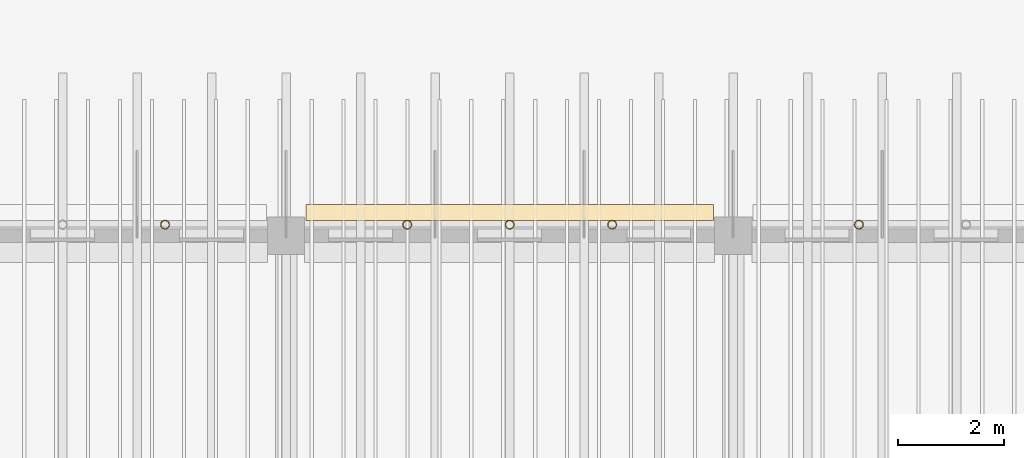
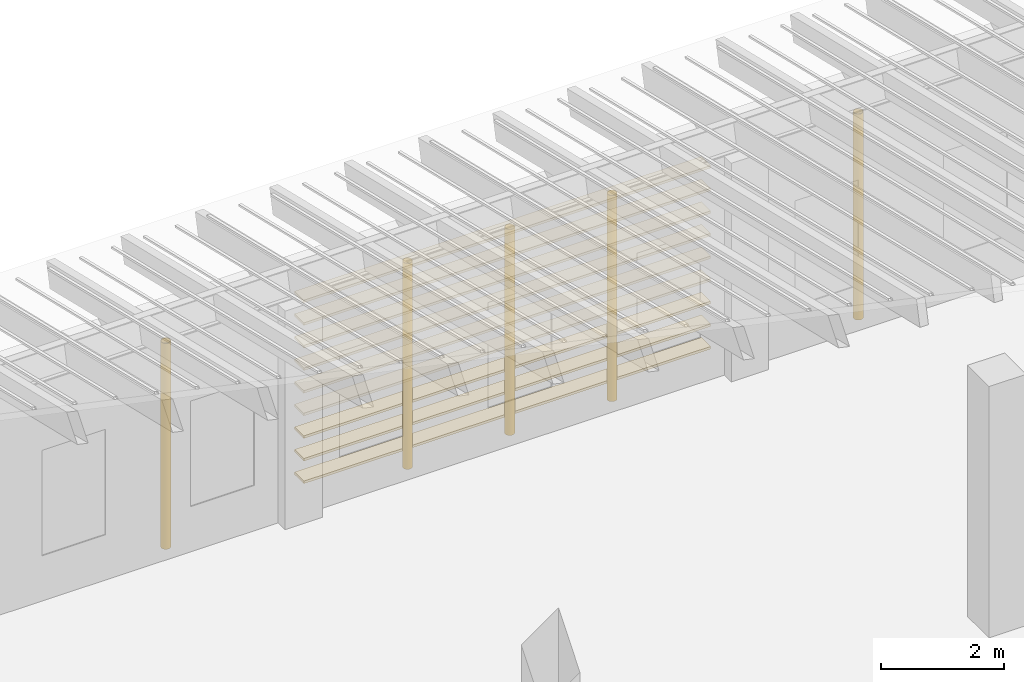
# One storey, part 68 of 82: 9 coverings, 5 shading devices.
"""IFC4 building model written with IfcOpenShell, lengths in metres."""

from ifc_helpers import new_model, si_unit, direction, frame, origin, origin_2d, place, context, subcontext, project, spatial, rectangle, hollow_circle, extrude, material, material_profile, profile_set, type_object, element, save


model = new_model("IFC4")

# Units and contexts
model_context = context("Model", 3, precision=1e-05, world=origin(), true_north=direction((0.0, 1.0)))
body_context = subcontext(model_context, "Body", "Model", "MODEL_VIEW")
ifc_project = project(units=[si_unit("LENGTHUNIT", "METRE"), si_unit("AREAUNIT", "SQUARE_METRE"), si_unit("VOLUMEUNIT", "CUBIC_METRE"), si_unit("PLANEANGLEUNIT", "RADIAN"), si_unit("MASSUNIT", "GRAM", prefix="KILO")], contexts=[model_context])

# Site, building, storey
site_placement = place(None, origin())
site = spatial("IfcSite", under=ifc_project, at=site_placement, CompositionType="ELEMENT")
building_placement = place(site_placement, origin())
building = spatial("IfcBuilding", under=site, at=building_placement, Name="Almond Square Museum", CompositionType="ELEMENT")
storey_placement = place(building_placement, frame((0.0, 0.0, 20.0)))
storey = spatial("IfcBuildingStorey", under=building, at=storey_placement, Name="L03", CompositionType="ELEMENT", Elevation=20.0)

# Shading devices
ifc_material_1 = material(Name="Structural steel S355", Category="steel")
ifc_material_profile_1 = material_profile(ifc_material_1, hollow_circle(Radius=0.084228515625, WallThickness=0.008056640625, at=origin_2d()))
ifc_profile_set_1 = profile_set([ifc_material_profile_1], Name="Structural steel S355")
shading_device_type = type_object("IfcShadingDeviceType", Name="Louvre post CHS 168.3 x 8", PredefinedType="USERDEFINED", material=ifc_profile_set_1)
for number, where, z_axis, x_axis, name in (
    (1, (67.16259765625, 109.4091796875, 0.0), (0.0, 0.0, 1.0), (1.0, 0.0, 0.0), "Louvre screen post"),
    (2, (58.675048828125, 109.4091796875, 0.0), (0.0, 0.0, 1.0), (1.0, 0.0, 0.0), "Louvre screen post"),
    (3, (60.60009765625, 109.4091796875, 0.0), (0.0, 0.0, 1.0), (1.0, 0.0, 0.0), "Louvre screen post"),
    (4, (62.52490234375, 109.4091796875, 0.0), (0.0, 0.0, 1.0), (1.0, 0.0, 0.0), "Louvre screen post"),
    (5, (54.125, 109.4091796875, 0.0), (0.0, 0.0, 1.0), (1.0, 0.0, 0.0), "Louvre screen post"),
):
    element("IfcShadingDevice", number, at=place(storey_placement, frame(where, z_axis=z_axis, x_axis=x_axis)), inside=storey, type_object=shading_device_type, Name=name, ObjectType="POST", PredefinedType="USERDEFINED", context=body_context, shape_type="SweptSolid", body=[
        extrude(hollow_circle(Radius=0.084228515625, WallThickness=0.008056640625, at=origin_2d()), origin(), (0.0, 0.0, 1.0), 4.099365234375),
    ])

# Coverings
ifc_material_2 = material(Name="Cedar timber louvre board", Category="wood")
ifc_material_profile_2 = material_profile(ifc_material_2, rectangle(XDim=0.300048828125, YDim=0.050048828125, at=origin_2d()))
ifc_profile_set_2 = profile_set([ifc_material_profile_2], Name="Cedar timber louvre board")
covering_type = type_object("IfcCoveringType", Name="Louvre screen board 300 x 50", PredefinedType="CLADDING", material=ifc_profile_set_2)
for number, where, z_axis, x_axis, name in (
    (6, (56.77001953125, 109.639404296875, 0.300048828125), (1.0, 0.0, 0.0), (0.0, 1.0, 0.0), "Louvre screen board"),
    (7, (56.77001953125, 109.639404296875, 0.75), (1.0, 0.0, 0.0), (0.0, 1.0, 0.0), "Louvre screen board"),
    (8, (56.77001953125, 109.639404296875, 1.199951171875), (1.0, 0.0, 0.0), (0.0, 1.0, 0.0), "Louvre screen board"),
    (9, (56.77001953125, 109.639404296875, 1.64990234375), (1.0, 0.0, 0.0), (0.0, 1.0, 0.0), "Louvre screen board"),
    (10, (56.77001953125, 109.639404296875, 2.10009765625), (1.0, 0.0, 0.0), (0.0, 1.0, 0.0), "Louvre screen board"),
    (11, (56.77001953125, 109.639404296875, 2.550048828125), (1.0, 0.0, 0.0), (0.0, 1.0, 0.0), "Louvre screen board"),
    (12, (56.77001953125, 109.639404296875, 3.0), (1.0, 0.0, 0.0), (0.0, 1.0, 0.0), "Louvre screen board"),
    (13, (56.77001953125, 109.639404296875, 3.449951171875), (1.0, 0.0, 0.0), (0.0, 1.0, 0.0), "Louvre screen board"),
    (14, (56.77001953125, 109.639404296875, 3.89990234375), (1.0, 0.0, 0.0), (0.0, 1.0, 0.0), "Louvre screen board"),
):
    element("IfcCovering", number, at=place(storey_placement, frame(where, z_axis=z_axis, x_axis=x_axis)), inside=storey, type_object=covering_type, Name=name, PredefinedType="CLADDING", context=body_context, shape_type="SweptSolid", body=[
        extrude(rectangle(XDim=0.300048828125, YDim=0.050048828125, at=origin_2d()), origin(), (0.0, 0.0, 1.0), 7.659912109375),
    ])

save(model, "model.ifc")
